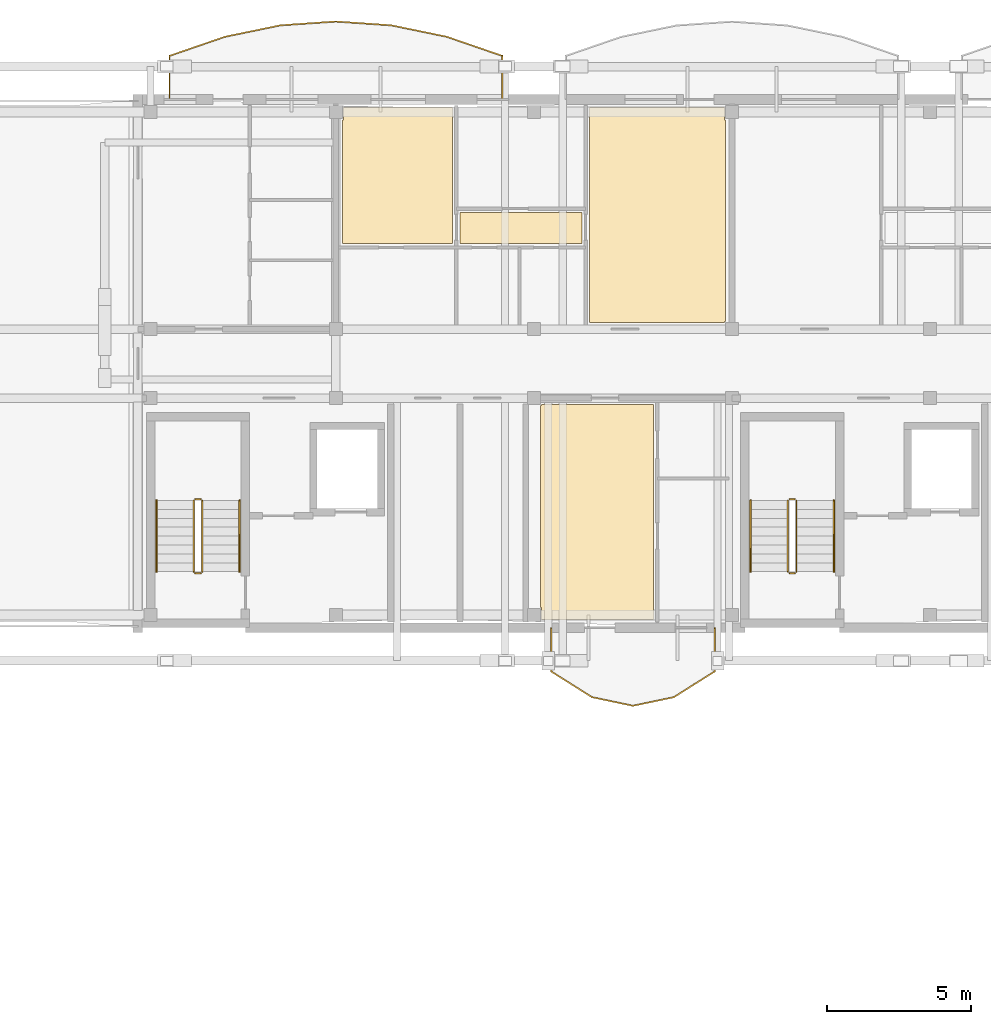
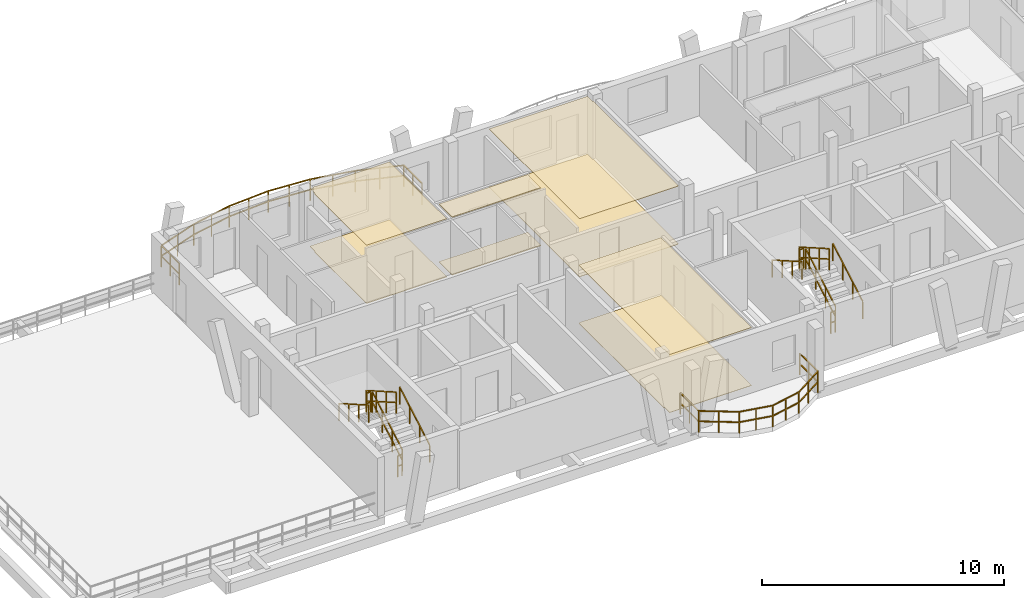
# One storey, part 43 of 44: 14 railings, 8 coverings.
"""IFC4 building model written with IfcOpenShell, lengths in metres."""

from ifc_helpers import new_model, si_unit, direction, frame, origin, origin_2d, place, context, subcontext, project, spatial, polyline, rectangle, outline, extrude, material, layer, layer_set, type_object, element, save


model = new_model("IFC4")

# Units and contexts
model_context = context("Model", 3, precision=1e-05, world=origin(), true_north=direction((0.0, 1.0)))
body_context = subcontext(model_context, "Body", "Model", "MODEL_VIEW")
ifc_project = project(units=[si_unit("LENGTHUNIT", "METRE"), si_unit("AREAUNIT", "SQUARE_METRE"), si_unit("VOLUMEUNIT", "CUBIC_METRE"), si_unit("PLANEANGLEUNIT", "RADIAN"), si_unit("MASSUNIT", "GRAM", prefix="KILO")], contexts=[model_context])

# Site, building, storey
site_placement = place(None, origin())
site = spatial("IfcSite", under=ifc_project, at=site_placement, CompositionType="ELEMENT")
building_placement = place(site_placement, origin())
building = spatial("IfcBuilding", under=site, at=building_placement, Name="Zavelmont Quarter", CompositionType="ELEMENT")
storey_placement = place(building_placement, frame((0.0, 0.0, 20.800048828125)))
storey = spatial("IfcBuildingStorey", under=building, at=storey_placement, Name="L06", CompositionType="ELEMENT", Elevation=20.800048828125)

# Coverings
ifc_material_1 = material(Name="Perforated acoustic gypsum board")
ifc_layer_1 = layer(ifc_material_1, 0.02490234375)
ifc_layer_set_1 = layer_set([ifc_layer_1], Name="Perforated acoustic gypsum board")
covering_type_1 = type_object("IfcCoveringType", Name="CV-CL01", PredefinedType="CEILING", material=ifc_layer_set_1)
covering_1_placement = place(storey_placement, frame((0.0, 0.0, 2.925048828125)))
element("IfcCovering", 1, at=covering_1_placement, inside=storey, type_object=covering_type_1, Name="L06 Double Bedroom acoustic ceiling", PredefinedType="CEILING", context=body_context, shape_type="SweptSolid", body=[
    extrude(outline(polyline([(133.72998046875, 115.294921875), (133.764892578125, 115.294921875), (133.764892578125, 115.719970703125), (137.570068359375, 115.719970703125), (137.570068359375, 110.97998046875), (133.72998046875, 110.97998046875), (133.72998046875, 115.294921875)])), origin(), (0.0, 0.0, 1.0), 0.02490234375),
])
covering_2_placement = place(storey_placement, frame((0.0, 0.0, 2.925048828125)))
element("IfcCovering", 2, at=covering_2_placement, inside=storey, type_object=covering_type_1, Name="L06 Living Dining acoustic ceiling", PredefinedType="CEILING", context=body_context, shape_type="SweptSolid", body=[
    extrude(outline(polyline([(142.330078125, 115.719970703125), (147.034912109375, 115.719970703125), (147.034912109375, 115.294921875), (147.070068359375, 115.294921875), (147.070068359375, 108.264892578125), (147.034912109375, 108.264892578125), (147.034912109375, 108.22998046875), (142.330078125, 108.22998046875), (142.330078125, 115.719970703125)])), origin(), (0.0, 0.0, 1.0), 0.02490234375),
])
covering_3_placement = place(storey_placement, frame((0.0, 0.0, 2.925048828125)))
element("IfcCovering", 3, at=covering_3_placement, inside=storey, type_object=covering_type_1, Name="L06 Residents Study Lounge acoustic ceiling", PredefinedType="CEILING", context=body_context, shape_type="SweptSolid", body=[
    extrude(outline(polyline([(140.6298828125, 105.3349609375), (140.6650390625, 105.3349609375), (140.6650390625, 105.3701171875), (144.570068359375, 105.3701171875), (144.570068359375, 97.8798828125), (140.6650390625, 97.8798828125), (140.6650390625, 98.304931640625), (140.6298828125, 98.304931640625), (140.6298828125, 105.3349609375)])), origin(), (0.0, 0.0, 1.0), 0.02490234375),
])
ifc_material_2 = material(Name="Slatted European ash acoustic baffle ceiling")
ifc_layer_2 = layer(ifc_material_2, 0.0400390625)
ifc_layer_set_2 = layer_set([ifc_layer_2], Name="Slatted European ash acoustic baffle ceiling")
covering_type_2 = type_object("IfcCoveringType", Name="CV-CL02", PredefinedType="CEILING", material=ifc_layer_set_2)
covering_4_placement = place(storey_placement, frame((0.0, 0.0, 2.909912109375)))
element("IfcCovering", 4, at=covering_4_placement, inside=storey, type_object=covering_type_2, Name="L06 Apartment Hall acoustic ceiling", PredefinedType="CEILING", context=body_context, shape_type="SweptSolid", body=[
    extrude(outline(polyline([(137.830078125, 112.070068359375), (142.070068359375, 112.070068359375), (142.070068359375, 110.97998046875), (137.830078125, 110.97998046875), (137.830078125, 112.070068359375)])), origin(), (0.0, 0.0, 1.0), 0.0400390625),
])
ifc_material_3 = material(Name="Engineered European oak parquet")
ifc_layer_3 = layer(ifc_material_3, 0.02197265625)
ifc_layer_set_3 = layer_set([ifc_layer_3], Name="Engineered European oak parquet")
covering_type_3 = type_object("IfcCoveringType", Name="CV-FL01", PredefinedType="FLOORING", material=ifc_layer_set_3)
covering_5_placement = place(storey_placement, origin())
element("IfcCovering", 5, at=covering_5_placement, inside=storey, type_object=covering_type_3, Name="L06 Double Bedroom floor finish", PredefinedType="FLOORING", context=body_context, shape_type="SweptSolid", body=[
    extrude(outline(polyline([(133.72998046875, 115.294921875), (133.764892578125, 115.294921875), (133.764892578125, 115.719970703125), (137.570068359375, 115.719970703125), (137.570068359375, 110.97998046875), (133.72998046875, 110.97998046875), (133.72998046875, 115.294921875)])), origin(), (0.0, 0.0, 1.0), 0.02197265625),
])
covering_6_placement = place(storey_placement, origin())
element("IfcCovering", 6, at=covering_6_placement, inside=storey, type_object=covering_type_3, Name="L06 Living Dining floor finish", PredefinedType="FLOORING", context=body_context, shape_type="SweptSolid", body=[
    extrude(outline(polyline([(142.330078125, 115.719970703125), (147.034912109375, 115.719970703125), (147.034912109375, 115.294921875), (147.070068359375, 115.294921875), (147.070068359375, 108.264892578125), (147.034912109375, 108.264892578125), (147.034912109375, 108.22998046875), (142.330078125, 108.22998046875), (142.330078125, 115.719970703125)])), origin(), (0.0, 0.0, 1.0), 0.02197265625),
])
covering_7_placement = place(storey_placement, origin())
element("IfcCovering", 7, at=covering_7_placement, inside=storey, type_object=covering_type_3, Name="L06 Residents Study Lounge floor finish", PredefinedType="FLOORING", context=body_context, shape_type="SweptSolid", body=[
    extrude(outline(polyline([(140.6298828125, 105.3349609375), (140.6650390625, 105.3349609375), (140.6650390625, 105.3701171875), (144.570068359375, 105.3701171875), (144.570068359375, 97.8798828125), (140.6650390625, 97.8798828125), (140.6650390625, 98.304931640625), (140.6298828125, 98.304931640625), (140.6298828125, 105.3349609375)])), origin(), (0.0, 0.0, 1.0), 0.02197265625),
])
ifc_material_4 = material(Name="Honed Belgian bluestone tile", Category="masonry")
ifc_layer_4 = layer(ifc_material_4, 0.030029296875)
ifc_layer_set_4 = layer_set([ifc_layer_4], Name="Honed Belgian bluestone tile")
covering_type_4 = type_object("IfcCoveringType", Name="CV-FL02", PredefinedType="FLOORING", material=ifc_layer_set_4)
covering_8_placement = place(storey_placement, origin())
element("IfcCovering", 8, at=covering_8_placement, inside=storey, type_object=covering_type_4, Name="L06 Apartment Hall floor finish", PredefinedType="FLOORING", context=body_context, shape_type="SweptSolid", body=[
    extrude(outline(polyline([(137.830078125, 112.070068359375), (142.070068359375, 112.070068359375), (142.070068359375, 110.97998046875), (137.830078125, 110.97998046875), (137.830078125, 112.070068359375)])), origin(), (0.0, 0.0, 1.0), 0.030029296875),
])

# Railings
ifc_material_5 = material(Name="Powder-coated steel and tempered double safety glass", Category="steel")
railing_type_1 = type_object("IfcRailingType", Name="RL-BAL1", PredefinedType="BALUSTRADE", material=ifc_material_5)
railing_1_placement = place(storey_placement, frame((139.296142578125, 116.02001953125, 0.0)))
element("IfcRailing", 9, at=railing_1_placement, inside=storey, type_object=railing_type_1, Name="L06 Block C curved balcony guard RL-BAL1", PredefinedType="BALUSTRADE", context=body_context, shape_type="SweptSolid", body=[
    extrude(rectangle(XDim=0.048095703125, YDim=0.048095703125, at=origin_2d()), frame((0.0, 0.0, 1.076171875), z_axis=(0.0, 1.0, 0.0), x_axis=(-1.0, 0.0, 0.0)), (0.0, 0.0, 1.0), 1.503662109375),
    extrude(rectangle(XDim=0.048095703125, YDim=0.048095703125, at=origin_2d()), frame((0.0, 0.0, 0.550048828125), z_axis=(0.0, 1.0, 0.0), x_axis=(-1.0, 0.0, 0.0)), (0.0, 0.0, 1.0), 1.503662109375),
    extrude(rectangle(XDim=0.048095703125, YDim=0.048095703125, at=origin_2d()), frame((0.0, 1.503662109375, 1.076171875), z_axis=(-0.945518896727, 0.325567221832, 0.0), x_axis=(-0.325567221832, -0.945518896727, 0.0)), (0.0, 0.0, 1.0), 2.04345703125),
    extrude(rectangle(XDim=0.048095703125, YDim=0.048095703125, at=origin_2d()), frame((0.0, 1.503662109375, 0.550048828125), z_axis=(-0.945518896727, 0.325567221832, 0.0), x_axis=(-0.325567221832, -0.945518896727, 0.0)), (0.0, 0.0, 1.0), 2.04345703125),
    extrude(rectangle(XDim=0.048095703125, YDim=0.048095703125, at=origin_2d()), frame((-1.93212890625, 2.1689453125, 1.076171875), z_axis=(-0.979343306548, 0.202204569484, 0.0), x_axis=(-0.202204569484, -0.979343306548, 0.0)), (0.0, 0.0, 1.0), 1.972900390625),
    extrude(rectangle(XDim=0.048095703125, YDim=0.048095703125, at=origin_2d()), frame((-1.93212890625, 2.1689453125, 0.550048828125), z_axis=(-0.979343306548, 0.202204569484, 0.0), x_axis=(-0.202204569484, -0.979343306548, 0.0)), (0.0, 0.0, 1.0), 1.972900390625),
    extrude(rectangle(XDim=0.048095703125, YDim=0.048095703125, at=origin_2d()), frame((-3.8642578125, 2.56787109375, 1.076171875), z_axis=(-0.997636590767, 0.068711227343, 0.0), x_axis=(-0.068711227343, -0.997636590767, 0.0)), (0.0, 0.0, 1.0), 1.9365234375),
    extrude(rectangle(XDim=0.048095703125, YDim=0.048095703125, at=origin_2d()), frame((-3.8642578125, 2.56787109375, 0.550048828125), z_axis=(-0.997636590767, 0.068711227343, 0.0), x_axis=(-0.068711227343, -0.997636590767, 0.0)), (0.0, 0.0, 1.0), 1.9365234375),
    extrude(rectangle(XDim=0.048095703125, YDim=0.048095703125, at=origin_2d()), frame((-5.796142578125, 2.700927734375, 1.076171875), z_axis=(-0.997636590767, -0.068711227343, 0.0), x_axis=(0.068711227343, -0.997636590767, 0.0)), (0.0, 0.0, 1.0), 1.9365234375),
    extrude(rectangle(XDim=0.048095703125, YDim=0.048095703125, at=origin_2d()), frame((-5.796142578125, 2.700927734375, 0.550048828125), z_axis=(-0.997636590767, -0.068711227343, 0.0), x_axis=(0.068711227343, -0.997636590767, 0.0)), (0.0, 0.0, 1.0), 1.9365234375),
    extrude(rectangle(XDim=0.048095703125, YDim=0.048095703125, at=origin_2d()), frame((-7.72802734375, 2.56787109375, 1.076171875), z_axis=(-0.979343306548, -0.202204569484, 0.0), x_axis=(0.202204569484, -0.979343306548, 0.0)), (0.0, 0.0, 1.0), 1.972900390625),
    extrude(rectangle(XDim=0.048095703125, YDim=0.048095703125, at=origin_2d()), frame((-7.72802734375, 2.56787109375, 0.550048828125), z_axis=(-0.979343306548, -0.202204569484, 0.0), x_axis=(0.202204569484, -0.979343306548, 0.0)), (0.0, 0.0, 1.0), 1.972900390625),
    extrude(rectangle(XDim=0.048095703125, YDim=0.048095703125, at=origin_2d()), frame((-9.66015625, 2.1689453125, 1.076171875), z_axis=(-0.945518896727, -0.325567221832, 0.0), x_axis=(0.325567221832, -0.945518896727, 0.0)), (0.0, 0.0, 1.0), 2.04345703125),
    extrude(rectangle(XDim=0.048095703125, YDim=0.048095703125, at=origin_2d()), frame((-9.66015625, 2.1689453125, 0.550048828125), z_axis=(-0.945518896727, -0.325567221832, 0.0), x_axis=(0.325567221832, -0.945518896727, 0.0)), (0.0, 0.0, 1.0), 2.04345703125),
    extrude(rectangle(XDim=0.048095703125, YDim=0.048095703125, at=origin_2d()), frame((-11.59228515625, 1.503662109375, 1.076171875), z_axis=(0.0, -1.0, 0.0), x_axis=(1.0, 0.0, 0.0)), (0.0, 0.0, 1.0), 1.503662109375),
    extrude(rectangle(XDim=0.048095703125, YDim=0.048095703125, at=origin_2d()), frame((-11.59228515625, 1.503662109375, 0.550048828125), z_axis=(0.0, -1.0, 0.0), x_axis=(1.0, 0.0, 0.0)), (0.0, 0.0, 1.0), 1.503662109375),
    extrude(rectangle(XDim=0.0419921875, YDim=0.0419921875, at=origin_2d()), origin(), (0.0, 0.0, 1.0), 1.052001953125),
    extrude(rectangle(XDim=0.0419921875, YDim=0.0419921875, at=origin_2d()), frame((0.0, 0.751953125, 0.0)), (0.0, 0.0, 1.0), 1.052001953125),
    extrude(rectangle(XDim=0.0419921875, YDim=0.0419921875, at=origin_2d()), frame((0.0, 1.503662109375, 0.0)), (0.0, 0.0, 1.0), 1.052001953125),
    extrude(rectangle(XDim=0.0419921875, YDim=0.0419921875, at=origin_2d()), frame((-0.966064453125, 1.83642578125, 0.0)), (0.0, 0.0, 1.0), 1.052001953125),
    extrude(rectangle(XDim=0.0419921875, YDim=0.0419921875, at=origin_2d()), frame((-1.93212890625, 2.1689453125, 0.0)), (0.0, 0.0, 1.0), 1.052001953125),
    extrude(rectangle(XDim=0.0419921875, YDim=0.0419921875, at=origin_2d()), frame((-2.898193359375, 2.368408203125, 0.0)), (0.0, 0.0, 1.0), 1.052001953125),
    extrude(rectangle(XDim=0.0419921875, YDim=0.0419921875, at=origin_2d()), frame((-3.8642578125, 2.56787109375, 0.0)), (0.0, 0.0, 1.0), 1.052001953125),
    extrude(rectangle(XDim=0.0419921875, YDim=0.0419921875, at=origin_2d()), frame((-4.830078125, 2.63427734375, 0.0)), (0.0, 0.0, 1.0), 1.052001953125),
    extrude(rectangle(XDim=0.0419921875, YDim=0.0419921875, at=origin_2d()), frame((-5.796142578125, 2.700927734375, 0.0)), (0.0, 0.0, 1.0), 1.052001953125),
    extrude(rectangle(XDim=0.0419921875, YDim=0.0419921875, at=origin_2d()), frame((-6.76220703125, 2.63427734375, 0.0)), (0.0, 0.0, 1.0), 1.052001953125),
    extrude(rectangle(XDim=0.0419921875, YDim=0.0419921875, at=origin_2d()), frame((-7.72802734375, 2.56787109375, 0.0)), (0.0, 0.0, 1.0), 1.052001953125),
    extrude(rectangle(XDim=0.0419921875, YDim=0.0419921875, at=origin_2d()), frame((-8.694091796875, 2.368408203125, 0.0)), (0.0, 0.0, 1.0), 1.052001953125),
    extrude(rectangle(XDim=0.0419921875, YDim=0.0419921875, at=origin_2d()), frame((-9.66015625, 2.1689453125, 0.0)), (0.0, 0.0, 1.0), 1.052001953125),
    extrude(rectangle(XDim=0.0419921875, YDim=0.0419921875, at=origin_2d()), frame((-10.626220703125, 1.83642578125, 0.0)), (0.0, 0.0, 1.0), 1.052001953125),
    extrude(rectangle(XDim=0.0419921875, YDim=0.0419921875, at=origin_2d()), frame((-11.59228515625, 1.503662109375, 0.0)), (0.0, 0.0, 1.0), 1.052001953125),
    extrude(rectangle(XDim=0.0419921875, YDim=0.0419921875, at=origin_2d()), frame((-11.59228515625, 0.751953125, 0.0)), (0.0, 0.0, 1.0), 1.052001953125),
    extrude(rectangle(XDim=0.0419921875, YDim=0.0419921875, at=origin_2d()), frame((-11.59228515625, 0.0, 0.0)), (0.0, 0.0, 1.0), 1.052001953125),
])
railing_2_placement = place(storey_placement, frame((141.0, 97.580078125, 0.0)))
element("IfcRailing", 10, at=railing_2_placement, inside=storey, type_object=railing_type_1, Name="L06 Block C curved balcony guard RL-BAL1", PredefinedType="BALUSTRADE", context=body_context, shape_type="SweptSolid", body=[
    extrude(rectangle(XDim=0.048095703125, YDim=0.048095703125, at=origin_2d()), frame((0.0, 0.0, 1.076171875), z_axis=(0.0, -1.0, 0.0), x_axis=(1.0, 0.0, 0.0)), (0.0, 0.0, 1.0), 1.50390625),
    extrude(rectangle(XDim=0.048095703125, YDim=0.048095703125, at=origin_2d()), frame((0.0, 0.0, 0.550048828125), z_axis=(0.0, -1.0, 0.0), x_axis=(1.0, 0.0, 0.0)), (0.0, 0.0, 1.0), 1.50390625),
    extrude(rectangle(XDim=0.048095703125, YDim=0.048095703125, at=origin_2d()), frame((0.0, -1.50390625, 1.076171875), z_axis=(0.846046409581, -0.533109250375, 0.0), x_axis=(0.533109250375, 0.846046409581, 0.0)), (0.0, 0.0, 1.0), 1.684326171875),
    extrude(rectangle(XDim=0.048095703125, YDim=0.048095703125, at=origin_2d()), frame((0.0, -1.50390625, 0.550048828125), z_axis=(0.846046409581, -0.533109250375, 0.0), x_axis=(0.533109250375, 0.846046409581, 0.0)), (0.0, 0.0, 1.0), 1.684326171875),
    extrude(rectangle(XDim=0.048095703125, YDim=0.048095703125, at=origin_2d()), frame((1.425048828125, -2.40185546875, 1.076171875), z_axis=(0.978645739851, -0.205554167733, 0.0), x_axis=(0.205554167733, 0.978645739851, 0.0)), (0.0, 0.0, 1.0), 1.4560546875),
    extrude(rectangle(XDim=0.048095703125, YDim=0.048095703125, at=origin_2d()), frame((1.425048828125, -2.40185546875, 0.550048828125), z_axis=(0.978645739851, -0.205554167733, 0.0), x_axis=(0.205554167733, 0.978645739851, 0.0)), (0.0, 0.0, 1.0), 1.4560546875),
    extrude(rectangle(XDim=0.048095703125, YDim=0.048095703125, at=origin_2d()), frame((2.85009765625, -2.701171875, 1.076171875), z_axis=(0.978638653946, 0.205587900915, 0.0), x_axis=(-0.205587900915, 0.978638653946, 0.0)), (0.0, 0.0, 1.0), 1.455810546875),
    extrude(rectangle(XDim=0.048095703125, YDim=0.048095703125, at=origin_2d()), frame((2.85009765625, -2.701171875, 0.550048828125), z_axis=(0.978638653946, 0.205587900915, 0.0), x_axis=(-0.205587900915, 0.978638653946, 0.0)), (0.0, 0.0, 1.0), 1.455810546875),
    extrude(rectangle(XDim=0.048095703125, YDim=0.048095703125, at=origin_2d()), frame((4.27490234375, -2.40185546875, 1.076171875), z_axis=(0.846046409581, 0.533109250375, 0.0), x_axis=(-0.533109250375, 0.846046409581, 0.0)), (0.0, 0.0, 1.0), 1.684326171875),
    extrude(rectangle(XDim=0.048095703125, YDim=0.048095703125, at=origin_2d()), frame((4.27490234375, -2.40185546875, 0.550048828125), z_axis=(0.846046409581, 0.533109250375, 0.0), x_axis=(-0.533109250375, 0.846046409581, 0.0)), (0.0, 0.0, 1.0), 1.684326171875),
    extrude(rectangle(XDim=0.048095703125, YDim=0.048095703125, at=origin_2d()), frame((5.699951171875, -1.50390625, 1.076171875), z_axis=(0.0, 1.0, 0.0), x_axis=(-1.0, 0.0, 0.0)), (0.0, 0.0, 1.0), 1.50390625),
    extrude(rectangle(XDim=0.048095703125, YDim=0.048095703125, at=origin_2d()), frame((5.699951171875, -1.50390625, 0.550048828125), z_axis=(0.0, 1.0, 0.0), x_axis=(-1.0, 0.0, 0.0)), (0.0, 0.0, 1.0), 1.50390625),
    extrude(rectangle(XDim=0.0419921875, YDim=0.0419921875, at=origin_2d()), origin(), (0.0, 0.0, 1.0), 1.052001953125),
    extrude(rectangle(XDim=0.0419921875, YDim=0.0419921875, at=origin_2d()), frame((0.0, -0.751953125, 0.0)), (0.0, 0.0, 1.0), 1.052001953125),
    extrude(rectangle(XDim=0.0419921875, YDim=0.0419921875, at=origin_2d()), frame((0.0, -1.50390625, 0.0)), (0.0, 0.0, 1.0), 1.052001953125),
    extrude(rectangle(XDim=0.0419921875, YDim=0.0419921875, at=origin_2d()), frame((0.71240234375, -1.952880859375, 0.0)), (0.0, 0.0, 1.0), 1.052001953125),
    extrude(rectangle(XDim=0.0419921875, YDim=0.0419921875, at=origin_2d()), frame((1.425048828125, -2.40185546875, 0.0)), (0.0, 0.0, 1.0), 1.052001953125),
    extrude(rectangle(XDim=0.0419921875, YDim=0.0419921875, at=origin_2d()), frame((2.1376953125, -2.551513671875, 0.0)), (0.0, 0.0, 1.0), 1.052001953125),
    extrude(rectangle(XDim=0.0419921875, YDim=0.0419921875, at=origin_2d()), frame((2.85009765625, -2.701171875, 0.0)), (0.0, 0.0, 1.0), 1.052001953125),
    extrude(rectangle(XDim=0.0419921875, YDim=0.0419921875, at=origin_2d()), frame((3.5625, -2.551513671875, 0.0)), (0.0, 0.0, 1.0), 1.052001953125),
    extrude(rectangle(XDim=0.0419921875, YDim=0.0419921875, at=origin_2d()), frame((4.27490234375, -2.40185546875, 0.0)), (0.0, 0.0, 1.0), 1.052001953125),
    extrude(rectangle(XDim=0.0419921875, YDim=0.0419921875, at=origin_2d()), frame((4.9873046875, -1.952880859375, 0.0)), (0.0, 0.0, 1.0), 1.052001953125),
    extrude(rectangle(XDim=0.0419921875, YDim=0.0419921875, at=origin_2d()), frame((5.699951171875, -1.50390625, 0.0)), (0.0, 0.0, 1.0), 1.052001953125),
    extrude(rectangle(XDim=0.0419921875, YDim=0.0419921875, at=origin_2d()), frame((5.699951171875, -0.751953125, 0.0)), (0.0, 0.0, 1.0), 1.052001953125),
    extrude(rectangle(XDim=0.0419921875, YDim=0.0419921875, at=origin_2d()), frame((5.699951171875, 0.0, 0.0)), (0.0, 0.0, 1.0), 1.052001953125),
])
ifc_material_6 = material(Name="Powder-coated steel stair guardrail", Category="steel")
railing_type_2 = type_object("IfcRailingType", Name="RL-GRD1", PredefinedType="GUARDRAIL", material=ifc_material_6)
railing_3_placement = place(storey_placement, frame((128.85009765625, 99.550048828125, 0.177734375)))
element("IfcRailing", 11, at=railing_3_placement, inside=storey, type_object=railing_type_2, Name="L06 ST05 stair guardrail 1", PredefinedType="GUARDRAIL", context=body_context, shape_type="SweptSolid", body=[
    extrude(rectangle(XDim=0.048095703125, YDim=0.048095703125, at=origin_2d()), frame((0.0, 0.0, 1.076171875), z_axis=(0.0, 0.867490628297, 0.497453525283), x_axis=(-1.0, 0.0, 0.0)), (0.0, 0.0, 1.0), 2.85888671875),
    extrude(rectangle(XDim=0.048095703125, YDim=0.048095703125, at=origin_2d()), frame((0.0, 0.0, 0.550048828125), z_axis=(0.0, 0.867490628297, 0.497453525283), x_axis=(-1.0, 0.0, 0.0)), (0.0, 0.0, 1.0), 2.85888671875),
    extrude(rectangle(XDim=0.0419921875, YDim=0.0419921875, at=origin_2d()), origin(), (0.0, 0.0, 1.0), 1.052001953125),
    extrude(rectangle(XDim=0.0419921875, YDim=0.0419921875, at=origin_2d()), frame((0.0, 0.82666015625, 0.47412109375)), (0.0, 0.0, 1.0), 1.052001953125),
    extrude(rectangle(XDim=0.0419921875, YDim=0.0419921875, at=origin_2d()), frame((0.0, 1.6533203125, 0.947998046875)), (0.0, 0.0, 1.0), 1.052001953125),
    extrude(rectangle(XDim=0.0419921875, YDim=0.0419921875, at=origin_2d()), frame((0.0, 2.47998046875, 1.422119140625)), (0.0, 0.0, 1.0), 1.052001953125),
])
railing_4_placement = place(storey_placement, frame((128.800048828125, 102.080078125, 1.599853515625)))
element("IfcRailing", 12, at=railing_4_placement, inside=storey, type_object=railing_type_2, Name="L06 ST05 stair guardrail 2", PredefinedType="GUARDRAIL", context=body_context, shape_type="SweptSolid", body=[
    extrude(rectangle(XDim=0.048095703125, YDim=0.048095703125, at=origin_2d()), frame((0.0, 0.0, 1.076171875), z_axis=(-1.0, 0.0, 0.0), x_axis=(0.0, -1.0, 0.0)), (0.0, 0.0, 1.0), 0.199951171875),
    extrude(rectangle(XDim=0.048095703125, YDim=0.048095703125, at=origin_2d()), frame((0.0, 0.0, 0.550048828125), z_axis=(-1.0, 0.0, 0.0), x_axis=(0.0, -1.0, 0.0)), (0.0, 0.0, 1.0), 0.199951171875),
    extrude(rectangle(XDim=0.0419921875, YDim=0.0419921875, at=origin_2d()), origin(), (0.0, 0.0, 1.0), 1.052001953125),
    extrude(rectangle(XDim=0.0419921875, YDim=0.0419921875, at=origin_2d()), frame((-0.199951171875, 0.0, 0.0)), (0.0, 0.0, 1.0), 1.052001953125),
])
railing_5_placement = place(storey_placement, frame((128.550048828125, 102.030029296875, 1.77783203125)))
element("IfcRailing", 13, at=railing_5_placement, inside=storey, type_object=railing_type_2, Name="L06 ST05 stair guardrail 3", PredefinedType="GUARDRAIL", context=body_context, shape_type="SweptSolid", body=[
    extrude(rectangle(XDim=0.048095703125, YDim=0.048095703125, at=origin_2d()), frame((0.0, 0.0, 1.076171875), z_axis=(0.0, -0.867490628297, 0.497453525283), x_axis=(1.0, 0.0, 0.0)), (0.0, 0.0, 1.0), 2.85888671875),
    extrude(rectangle(XDim=0.048095703125, YDim=0.048095703125, at=origin_2d()), frame((0.0, 0.0, 0.550048828125), z_axis=(0.0, -0.867490628297, 0.497453525283), x_axis=(1.0, 0.0, 0.0)), (0.0, 0.0, 1.0), 2.85888671875),
    extrude(rectangle(XDim=0.0419921875, YDim=0.0419921875, at=origin_2d()), origin(), (0.0, 0.0, 1.0), 1.052001953125),
    extrude(rectangle(XDim=0.0419921875, YDim=0.0419921875, at=origin_2d()), frame((0.0, -0.82666015625, 0.47412109375)), (0.0, 0.0, 1.0), 1.052001953125),
    extrude(rectangle(XDim=0.0419921875, YDim=0.0419921875, at=origin_2d()), frame((0.0, -1.6533203125, 0.947998046875)), (0.0, 0.0, 1.0), 1.052001953125),
    extrude(rectangle(XDim=0.0419921875, YDim=0.0419921875, at=origin_2d()), frame((0.0, -2.47998046875, 1.422119140625)), (0.0, 0.0, 1.0), 1.052001953125),
])
railing_6_placement = place(storey_placement, frame((128.800048828125, 99.5, 0.0)))
element("IfcRailing", 14, at=railing_6_placement, inside=storey, type_object=railing_type_2, Name="L06 ST05 stair guardrail 4", PredefinedType="GUARDRAIL", context=body_context, shape_type="SweptSolid", body=[
    extrude(rectangle(XDim=0.048095703125, YDim=0.048095703125, at=origin_2d()), frame((0.0, 0.0, 1.076171875), z_axis=(-1.0, 0.0, 0.0), x_axis=(0.0, -1.0, 0.0)), (0.0, 0.0, 1.0), 0.199951171875),
    extrude(rectangle(XDim=0.048095703125, YDim=0.048095703125, at=origin_2d()), frame((0.0, 0.0, 0.550048828125), z_axis=(-1.0, 0.0, 0.0), x_axis=(0.0, -1.0, 0.0)), (0.0, 0.0, 1.0), 0.199951171875),
    extrude(rectangle(XDim=0.0419921875, YDim=0.0419921875, at=origin_2d()), origin(), (0.0, 0.0, 1.0), 1.052001953125),
    extrude(rectangle(XDim=0.0419921875, YDim=0.0419921875, at=origin_2d()), frame((-0.199951171875, 0.0, 0.0)), (0.0, 0.0, 1.0), 1.052001953125),
])
railing_7_placement = place(storey_placement, frame((149.550048828125, 99.550048828125, 0.177734375)))
element("IfcRailing", 15, at=railing_7_placement, inside=storey, type_object=railing_type_2, Name="L06 ST06 stair guardrail 1", PredefinedType="GUARDRAIL", context=body_context, shape_type="SweptSolid", body=[
    extrude(rectangle(XDim=0.048095703125, YDim=0.048095703125, at=origin_2d()), frame((0.0, 0.0, 1.076171875), z_axis=(0.0, 0.867490628297, 0.497453525283), x_axis=(-1.0, 0.0, 0.0)), (0.0, 0.0, 1.0), 2.85888671875),
    extrude(rectangle(XDim=0.048095703125, YDim=0.048095703125, at=origin_2d()), frame((0.0, 0.0, 0.550048828125), z_axis=(0.0, 0.867490628297, 0.497453525283), x_axis=(-1.0, 0.0, 0.0)), (0.0, 0.0, 1.0), 2.85888671875),
    extrude(rectangle(XDim=0.0419921875, YDim=0.0419921875, at=origin_2d()), origin(), (0.0, 0.0, 1.0), 1.052001953125),
    extrude(rectangle(XDim=0.0419921875, YDim=0.0419921875, at=origin_2d()), frame((0.0, 0.82666015625, 0.47412109375)), (0.0, 0.0, 1.0), 1.052001953125),
    extrude(rectangle(XDim=0.0419921875, YDim=0.0419921875, at=origin_2d()), frame((0.0, 1.6533203125, 0.947998046875)), (0.0, 0.0, 1.0), 1.052001953125),
    extrude(rectangle(XDim=0.0419921875, YDim=0.0419921875, at=origin_2d()), frame((0.0, 2.47998046875, 1.422119140625)), (0.0, 0.0, 1.0), 1.052001953125),
])
railing_8_placement = place(storey_placement, frame((149.5, 102.080078125, 1.599853515625)))
element("IfcRailing", 16, at=railing_8_placement, inside=storey, type_object=railing_type_2, Name="L06 ST06 stair guardrail 2", PredefinedType="GUARDRAIL", context=body_context, shape_type="SweptSolid", body=[
    extrude(rectangle(XDim=0.048095703125, YDim=0.048095703125, at=origin_2d()), frame((0.0, 0.0, 1.076171875), z_axis=(-1.0, 0.0, 0.0), x_axis=(0.0, -1.0, 0.0)), (0.0, 0.0, 1.0), 0.199951171875),
    extrude(rectangle(XDim=0.048095703125, YDim=0.048095703125, at=origin_2d()), frame((0.0, 0.0, 0.550048828125), z_axis=(-1.0, 0.0, 0.0), x_axis=(0.0, -1.0, 0.0)), (0.0, 0.0, 1.0), 0.199951171875),
    extrude(rectangle(XDim=0.0419921875, YDim=0.0419921875, at=origin_2d()), origin(), (0.0, 0.0, 1.0), 1.052001953125),
    extrude(rectangle(XDim=0.0419921875, YDim=0.0419921875, at=origin_2d()), frame((-0.199951171875, 0.0, 0.0)), (0.0, 0.0, 1.0), 1.052001953125),
])
railing_9_placement = place(storey_placement, frame((149.25, 102.030029296875, 1.77783203125)))
element("IfcRailing", 17, at=railing_9_placement, inside=storey, type_object=railing_type_2, Name="L06 ST06 stair guardrail 3", PredefinedType="GUARDRAIL", context=body_context, shape_type="SweptSolid", body=[
    extrude(rectangle(XDim=0.048095703125, YDim=0.048095703125, at=origin_2d()), frame((0.0, 0.0, 1.076171875), z_axis=(0.0, -0.867490628297, 0.497453525283), x_axis=(1.0, 0.0, 0.0)), (0.0, 0.0, 1.0), 2.85888671875),
    extrude(rectangle(XDim=0.048095703125, YDim=0.048095703125, at=origin_2d()), frame((0.0, 0.0, 0.550048828125), z_axis=(0.0, -0.867490628297, 0.497453525283), x_axis=(1.0, 0.0, 0.0)), (0.0, 0.0, 1.0), 2.85888671875),
    extrude(rectangle(XDim=0.0419921875, YDim=0.0419921875, at=origin_2d()), origin(), (0.0, 0.0, 1.0), 1.052001953125),
    extrude(rectangle(XDim=0.0419921875, YDim=0.0419921875, at=origin_2d()), frame((0.0, -0.82666015625, 0.47412109375)), (0.0, 0.0, 1.0), 1.052001953125),
    extrude(rectangle(XDim=0.0419921875, YDim=0.0419921875, at=origin_2d()), frame((0.0, -1.6533203125, 0.947998046875)), (0.0, 0.0, 1.0), 1.052001953125),
    extrude(rectangle(XDim=0.0419921875, YDim=0.0419921875, at=origin_2d()), frame((0.0, -2.47998046875, 1.422119140625)), (0.0, 0.0, 1.0), 1.052001953125),
])
railing_10_placement = place(storey_placement, frame((149.5, 99.5, 0.0)))
element("IfcRailing", 18, at=railing_10_placement, inside=storey, type_object=railing_type_2, Name="L06 ST06 stair guardrail 4", PredefinedType="GUARDRAIL", context=body_context, shape_type="SweptSolid", body=[
    extrude(rectangle(XDim=0.048095703125, YDim=0.048095703125, at=origin_2d()), frame((0.0, 0.0, 1.076171875), z_axis=(-1.0, 0.0, 0.0), x_axis=(0.0, -1.0, 0.0)), (0.0, 0.0, 1.0), 0.199951171875),
    extrude(rectangle(XDim=0.048095703125, YDim=0.048095703125, at=origin_2d()), frame((0.0, 0.0, 0.550048828125), z_axis=(-1.0, 0.0, 0.0), x_axis=(0.0, -1.0, 0.0)), (0.0, 0.0, 1.0), 0.199951171875),
    extrude(rectangle(XDim=0.0419921875, YDim=0.0419921875, at=origin_2d()), origin(), (0.0, 0.0, 1.0), 1.052001953125),
    extrude(rectangle(XDim=0.0419921875, YDim=0.0419921875, at=origin_2d()), frame((-0.199951171875, 0.0, 0.0)), (0.0, 0.0, 1.0), 1.052001953125),
])
ifc_material_7 = material(Name="Brushed stainless-steel wall handrail", Category="steel")
railing_type_3 = type_object("IfcRailingType", Name="RL-HND1", PredefinedType="HANDRAIL", material=ifc_material_7)
railing_11_placement = place(storey_placement, frame((130.14990234375, 99.550048828125, 0.177734375)))
element("IfcRailing", 19, at=railing_11_placement, inside=storey, type_object=railing_type_3, Name="L06 ST05 stair handrail 1", PredefinedType="HANDRAIL", context=body_context, shape_type="SweptSolid", body=[
    extrude(rectangle(XDim=0.048095703125, YDim=0.048095703125, at=origin_2d()), frame((0.0, 0.0, 0.8759765625), z_axis=(0.0, 0.867490628297, 0.497453525283), x_axis=(-1.0, 0.0, 0.0)), (0.0, 0.0, 1.0), 2.85888671875),
    extrude(rectangle(XDim=0.0419921875, YDim=0.0419921875, at=origin_2d()), origin(), (0.0, 0.0, 1.0), 0.851806640625),
    extrude(rectangle(XDim=0.0419921875, YDim=0.0419921875, at=origin_2d()), frame((0.0, 0.82666015625, 0.47412109375)), (0.0, 0.0, 1.0), 0.851806640625),
    extrude(rectangle(XDim=0.0419921875, YDim=0.0419921875, at=origin_2d()), frame((0.0, 1.6533203125, 0.947998046875)), (0.0, 0.0, 1.0), 0.851806640625),
    extrude(rectangle(XDim=0.0419921875, YDim=0.0419921875, at=origin_2d()), frame((0.0, 2.47998046875, 1.422119140625)), (0.0, 0.0, 1.0), 0.851806640625),
])
railing_12_placement = place(storey_placement, frame((127.25, 102.030029296875, 1.77783203125)))
element("IfcRailing", 20, at=railing_12_placement, inside=storey, type_object=railing_type_3, Name="L06 ST05 stair handrail 2", PredefinedType="HANDRAIL", context=body_context, shape_type="SweptSolid", body=[
    extrude(rectangle(XDim=0.048095703125, YDim=0.048095703125, at=origin_2d()), frame((0.0, 0.0, 0.8759765625), z_axis=(0.0, -0.867490628297, 0.497453525283), x_axis=(1.0, 0.0, 0.0)), (0.0, 0.0, 1.0), 2.85888671875),
    extrude(rectangle(XDim=0.0419921875, YDim=0.0419921875, at=origin_2d()), origin(), (0.0, 0.0, 1.0), 0.851806640625),
    extrude(rectangle(XDim=0.0419921875, YDim=0.0419921875, at=origin_2d()), frame((0.0, -0.82666015625, 0.47412109375)), (0.0, 0.0, 1.0), 0.851806640625),
    extrude(rectangle(XDim=0.0419921875, YDim=0.0419921875, at=origin_2d()), frame((0.0, -1.6533203125, 0.947998046875)), (0.0, 0.0, 1.0), 0.851806640625),
    extrude(rectangle(XDim=0.0419921875, YDim=0.0419921875, at=origin_2d()), frame((0.0, -2.47998046875, 1.422119140625)), (0.0, 0.0, 1.0), 0.851806640625),
])
railing_13_placement = place(storey_placement, frame((150.85009765625, 99.550048828125, 0.177734375)))
element("IfcRailing", 21, at=railing_13_placement, inside=storey, type_object=railing_type_3, Name="L06 ST06 stair handrail 1", PredefinedType="HANDRAIL", context=body_context, shape_type="SweptSolid", body=[
    extrude(rectangle(XDim=0.048095703125, YDim=0.048095703125, at=origin_2d()), frame((0.0, 0.0, 0.8759765625), z_axis=(0.0, 0.867490628297, 0.497453525283), x_axis=(-1.0, 0.0, 0.0)), (0.0, 0.0, 1.0), 2.85888671875),
    extrude(rectangle(XDim=0.0419921875, YDim=0.0419921875, at=origin_2d()), origin(), (0.0, 0.0, 1.0), 0.851806640625),
    extrude(rectangle(XDim=0.0419921875, YDim=0.0419921875, at=origin_2d()), frame((0.0, 0.82666015625, 0.47412109375)), (0.0, 0.0, 1.0), 0.851806640625),
    extrude(rectangle(XDim=0.0419921875, YDim=0.0419921875, at=origin_2d()), frame((0.0, 1.6533203125, 0.947998046875)), (0.0, 0.0, 1.0), 0.851806640625),
    extrude(rectangle(XDim=0.0419921875, YDim=0.0419921875, at=origin_2d()), frame((0.0, 2.47998046875, 1.422119140625)), (0.0, 0.0, 1.0), 0.851806640625),
])
railing_14_placement = place(storey_placement, frame((147.949951171875, 102.030029296875, 1.77783203125)))
element("IfcRailing", 22, at=railing_14_placement, inside=storey, type_object=railing_type_3, Name="L06 ST06 stair handrail 2", PredefinedType="HANDRAIL", context=body_context, shape_type="SweptSolid", body=[
    extrude(rectangle(XDim=0.048095703125, YDim=0.048095703125, at=origin_2d()), frame((0.0, 0.0, 0.8759765625), z_axis=(0.0, -0.867490628297, 0.497453525283), x_axis=(1.0, 0.0, 0.0)), (0.0, 0.0, 1.0), 2.85888671875),
    extrude(rectangle(XDim=0.0419921875, YDim=0.0419921875, at=origin_2d()), origin(), (0.0, 0.0, 1.0), 0.851806640625),
    extrude(rectangle(XDim=0.0419921875, YDim=0.0419921875, at=origin_2d()), frame((0.0, -0.82666015625, 0.47412109375)), (0.0, 0.0, 1.0), 0.851806640625),
    extrude(rectangle(XDim=0.0419921875, YDim=0.0419921875, at=origin_2d()), frame((0.0, -1.6533203125, 0.947998046875)), (0.0, 0.0, 1.0), 0.851806640625),
    extrude(rectangle(XDim=0.0419921875, YDim=0.0419921875, at=origin_2d()), frame((0.0, -2.47998046875, 1.422119140625)), (0.0, 0.0, 1.0), 0.851806640625),
])

save(model, "model.ifc")
